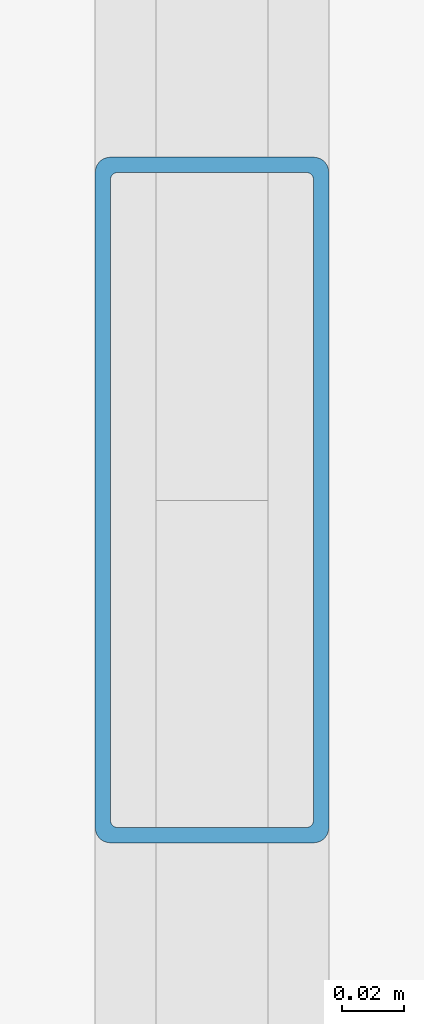
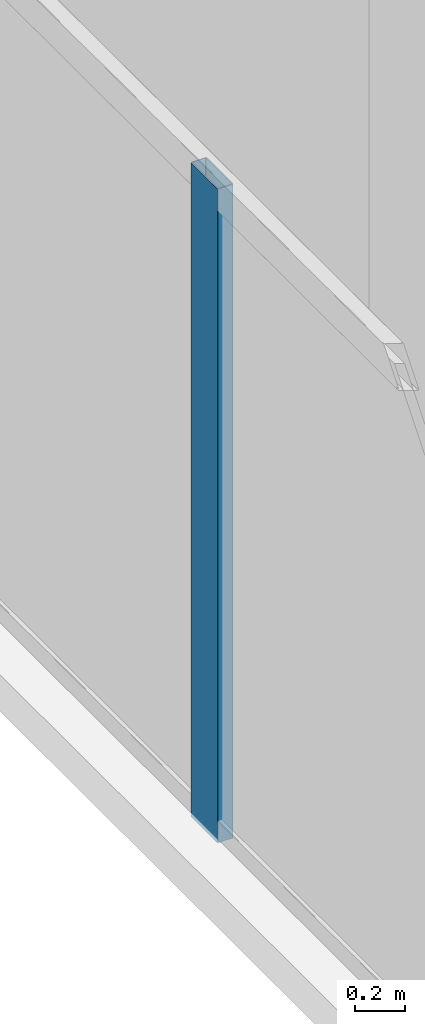
# One storey, part 4 of 17: 1 member, 1 element without a shape of its own.
"""IFC4 building model written with IfcOpenShell, lengths in metres."""

import ifcopenshell
import ifcopenshell.guid

model = None  # the IFC model being written
_history = None  # IfcOwnerHistory: only IFC2X3 demands one
_inside = {}  # id of a spatial element -> (the spatial element, [elements in it])
_under = {}  # id of a project, library or spatial element -> (it, [spatial elements below it])
_declared = {}  # id of a project -> (the project, [libraries it declares])
_typed = {}  # id of a type object -> (the type object, [elements of that type])
_made_of = {}  # id of a material, layer set ... -> (it, [elements and type objects made of it])


def new_model(schema):
    """Start an empty IFC model of exactly this schema.

    Asked for "IFC4X3", IfcOpenShell would pick the latest addendum, in which some entities
    have other attributes; the version numbers below select the first issue.
    IFC2X3 requires an IfcOwnerHistory on every rooted entity: one is made here for all.
    """
    global model, _history
    if schema == "IFC4X3":
        model = ifcopenshell.file(schema_version=(4, 3, 0, 0))
    else:
        model = ifcopenshell.file(schema=schema)
    _inside.clear()
    _under.clear()
    _declared.clear()
    _typed.clear()
    _made_of.clear()
    _history = None
    if model.schema == "IFC2X3":
        org = make("IfcOrganization", Name="unknown")
        user = make(
            "IfcPersonAndOrganization",
            ThePerson=make("IfcPerson", FamilyName="unknown"),
            TheOrganization=org,
        )
        app = make(
            "IfcApplication",
            ApplicationDeveloper=org,
            Version="unknown",
            ApplicationFullName="unknown",
            ApplicationIdentifier="unknown",
        )
        _history = make(
            "IfcOwnerHistory",
            OwningUser=user,
            OwningApplication=app,
            ChangeAction="ADDED",
            CreationDate=0,
        )
    return model


def make(cls, **values):
    """One entity of the class cls with the attributes given. An attribute that is None is left unset."""
    return model.create_entity(
        cls, **{name: value for name, value in values.items() if value is not None}
    )


def rooted(cls, **values):
    """An entity with a GlobalId (a new one), such as an element, a storey or a relation."""
    return make(cls, GlobalId=ifcopenshell.guid.new(), OwnerHistory=_history, **values)


def si_unit(unit_type, name, prefix=None):
    """IfcSIUnit, for example si_unit("LENGTHUNIT", "METRE", prefix="MILLI")."""
    return make("IfcSIUnit", UnitType=unit_type, Prefix=prefix, Name=name)


def assignment(units):
    """IfcUnitAssignment: the units of a project."""
    return None if units is None else make("IfcUnitAssignment", Units=units)


def point(xyz):
    """IfcCartesianPoint."""
    return None if xyz is None else make("IfcCartesianPoint", Coordinates=xyz)


def direction(xyz):
    """IfcDirection."""
    return None if xyz is None else make("IfcDirection", DirectionRatios=xyz)


def frame(location, z_axis=None, x_axis=None):
    """IfcAxis2Placement3D, a coordinate frame: its origin and axes. An axis left out is left unset."""
    return make(
        "IfcAxis2Placement3D",
        Location=point(location),
        Axis=direction(z_axis),
        RefDirection=direction(x_axis),
    )


def frame_2d(location, x_axis=None):
    """IfcAxis2Placement2D, a coordinate frame in the plane: its origin and x axis."""
    return make(
        "IfcAxis2Placement2D", Location=point(location), RefDirection=direction(x_axis)
    )


def origin():
    """The frame at (0, 0, 0) with its axes left unset."""
    return frame((0.0, 0.0, 0.0))


def origin_2d():
    """The frame at (0, 0) in the plane with its x axis left unset."""
    return frame_2d((0.0, 0.0))


def place(relative_to, where):
    """IfcLocalPlacement: puts the frame where relative to a parent placement (None: the world)."""
    return make(
        "IfcLocalPlacement", PlacementRelTo=relative_to, RelativePlacement=where
    )


def context(
    kind, dimensions, precision=None, world=None, true_north=None, identifier=None
):
    """IfcGeometricRepresentationContext, for example the 3D "Model" context."""
    return make(
        "IfcGeometricRepresentationContext",
        ContextIdentifier=identifier,
        ContextType=kind,
        CoordinateSpaceDimension=dimensions,
        Precision=precision,
        WorldCoordinateSystem=world,
        TrueNorth=true_north,
    )


def subcontext(parent, identifier, kind, view, scale=None):
    """IfcGeometricRepresentationSubContext, for example "Body" below "Model"."""
    return make(
        "IfcGeometricRepresentationSubContext",
        ContextIdentifier=identifier,
        ContextType=kind,
        ParentContext=parent,
        TargetScale=scale,
        TargetView=view,
    )


def project(units=None, contexts=None):
    """IfcProject with its units and contexts."""
    return rooted(
        "IfcProject",
        Name="project",
        RepresentationContexts=contexts,
        UnitsInContext=assignment(units),
    )


def spatial(cls, under=None, at=None, **own):
    """A site, building, storey or space (cls), placed at a placement, below another one or the project."""
    s = rooted(cls, ObjectPlacement=at, **own)
    if under is not None:
        _under.setdefault(under.id(), (under, []))[1].append(s)
    return s


def profile(cls, at=None, kind="AREA", **sizes):
    """A parametric profile (cls). Its sizes go by their IFC names, for example OverallWidth=200.0."""
    return make(cls, ProfileType=kind, Position=at, **sizes)


def hollow_rectangle(**sizes):
    """IfcRectangleHollowProfileDef."""
    return profile("IfcRectangleHollowProfileDef", **sizes)


def extrude(swept, where, along, depth):
    """IfcExtrudedAreaSolid: the profile swept, set in the frame where, extruded along a direction by depth."""
    return make(
        "IfcExtrudedAreaSolid",
        SweptArea=swept,
        Position=where,
        ExtrudedDirection=direction(along),
        Depth=depth,
    )


def shape(context_of_items, identifier, shape_type, items):
    """IfcShapeRepresentation: the items that make up one representation, for example the "Body"."""
    return make(
        "IfcShapeRepresentation",
        ContextOfItems=context_of_items,
        RepresentationIdentifier=identifier,
        RepresentationType=shape_type,
        Items=items,
    )


def material(Name=None, Category=None):
    """IfcMaterial."""
    return make("IfcMaterial", Name=Name, Category=Category)


def material_profile(
    of_material, cross_section, Name=None, Category=None, Priority=None
):
    """IfcMaterialProfile: a cross section and its material."""
    return make(
        "IfcMaterialProfile",
        Name=Name,
        Material=of_material,
        Profile=cross_section,
        Priority=Priority,
        Category=Category,
    )


def profile_set(profiles, Name=None, composite=None):
    """IfcMaterialProfileSet."""
    return make(
        "IfcMaterialProfileSet",
        Name=Name,
        MaterialProfiles=profiles,
        CompositeProfile=composite,
    )


def made_of(thing, what):
    """Note that an element or type object is made of a material, layer set ...; save() writes the relation."""
    if what is not None:
        _made_of.setdefault(what.id(), (what, []))[1].append(thing)
    return thing


def type_object(cls, material=None, **own):
    """A type object (cls), such as IfcWallType, which elements share."""
    return made_of(rooted(cls, **own), material)


def element(
    cls,
    number,
    at=None,
    inside=None,
    cuts=None,
    type_object=None,
    material=None,
    context=None,
    identifier="Body",
    shape_type=None,
    held_by="IfcProductDefinitionShape",
    body=None,
    shapes=None,
    **own,
):
    """One element of the class cls, such as IfcWall. Its Tag is "e" and its number.

    at: its placement. inside: the storey or other place that contains it. cuts: it is an
    opening in that element (IfcRelVoidsElement). A single representation is given by context,
    identifier, shape_type and body (its items); several are given by shapes. held_by: the class
    of the entity that holds the representations. save() writes the other relations.
    """
    e = rooted(cls, Tag="e%d" % number, ObjectPlacement=at, **own)
    if body is not None:
        shapes = [shape(context, identifier, shape_type, body)]
    if shapes is not None:
        e.Representation = make(held_by, Representations=shapes)
    if inside is not None:
        _inside.setdefault(inside.id(), (inside, []))[1].append(e)
    if cuts is not None:
        rooted(
            "IfcRelVoidsElement", RelatingBuildingElement=cuts, RelatedOpeningElement=e
        )
    if type_object is not None:
        _typed.setdefault(type_object.id(), (type_object, []))[1].append(e)
    return made_of(e, material)


def aggregate(whole, parts):
    """IfcRelAggregates: a whole, such as a stair, and the parts it consists of."""
    return rooted("IfcRelAggregates", RelatingObject=whole, RelatedObjects=parts)


def save(model, path):
    """Write the relations noted so far, then the file.

    IfcRelAggregates (storeys below a building ...), IfcRelContainedInSpatialStructure (elements
    in a storey), IfcRelDefinesByType, IfcRelAssociatesMaterial and IfcRelDeclares: one each for
    every whole, place, type object, material and project.
    """
    for whole, parts in _under.values():
        aggregate(whole, parts)
    for where, things in _inside.values():
        rooted(
            "IfcRelContainedInSpatialStructure",
            RelatedElements=things,
            RelatingStructure=where,
        )
    for kind, things in _typed.values():
        rooted("IfcRelDefinesByType", RelatedObjects=things, RelatingType=kind)
    for what, things in _made_of.values():
        rooted("IfcRelAssociatesMaterial", RelatedObjects=things, RelatingMaterial=what)
    for by, libraries in _declared.values():
        rooted("IfcRelDeclares", RelatingContext=by, RelatedDefinitions=libraries)
    model.write(path)


model = new_model("IFC4")

# Units and contexts
model_context = context("Model", 3, precision=1e-05, world=origin(), true_north=direction((0.0, 1.0)))
body_context = subcontext(model_context, "Body", "Model", "MODEL_VIEW")
ifc_project = project(units=[si_unit("LENGTHUNIT", "METRE"), si_unit("AREAUNIT", "SQUARE_METRE"), si_unit("VOLUMEUNIT", "CUBIC_METRE"), si_unit("PLANEANGLEUNIT", "RADIAN"), si_unit("MASSUNIT", "GRAM", prefix="KILO")], contexts=[model_context])

# Site, building, storey
site_placement = place(None, origin())
site = spatial("IfcSite", under=ifc_project, at=site_placement, CompositionType="ELEMENT")
building_placement = place(site_placement, origin())
building = spatial("IfcBuilding", under=site, at=building_placement, Name="Noeulbin Bourse Tower", CompositionType="ELEMENT")
storey_placement = place(building_placement, frame((0.0, 0.0, 285.199951171875)))
storey = spatial("IfcBuildingStorey", under=building, at=storey_placement, Name="L71", CompositionType="ELEMENT", Elevation=285.199951171875)

# Curtain wall, member
ifc_material_1 = material(Name="High-Selectivity Low-Iron Glazing", Category="glass")
curtain_wall_type = type_object("IfcCurtainWallType", Name="CW-SYS-4", PredefinedType="NOTDEFINED", material=ifc_material_1)
curtain_wall_placement = place(storey_placement, origin())
curtain_wall = element("IfcCurtainWall", 1, at=curtain_wall_placement, inside=storey, type_object=curtain_wall_type, Name="Unitised Curtain Wall CW-L71-W", PredefinedType="NOTDEFINED")
ifc_material_2 = material(Name="Anodised Aluminium 6063-T6", Category="aluminium")
ifc_material_profile = material_profile(ifc_material_2, hollow_rectangle(XDim=0.074951171875, YDim=0.219970703125, WallThickness=0.0048828125, InnerFilletRadius=0.00244140625, OuterFilletRadius=0.0048828125, at=origin_2d()), Name="ALU-MULL-75x220x5", Category="LoadBearing")
ifc_profile_set = profile_set([ifc_material_profile], Name="Anodised Aluminium 6063-T6")
member_type = type_object("IfcMemberType", Name="CW-SYS-4-MUL", PredefinedType="MULLION", material=ifc_profile_set)
member_placement = place(storey_placement, frame((12.219970703125, 28.97607421875, -0.02001953125), z_axis=(0.0, 0.0, 1.0), x_axis=(1.0, 0.0, 0.0)))
member = element("IfcMember", 2, at=member_placement, type_object=member_type, Name="Curtain Wall Mullion CW-L71-W-M02", PredefinedType="MULLION", context=body_context, shape_type="SweptSolid", body=[
    extrude(hollow_rectangle(XDim=0.074951171875, YDim=0.219970703125, WallThickness=0.0048828125, InnerFilletRadius=0.00244140625, OuterFilletRadius=0.0048828125, at=origin_2d()), origin(), (0.0, 0.0, 1.0), 3.219970703125),
])
aggregate(curtain_wall, [member])

save(model, "model.ifc")
